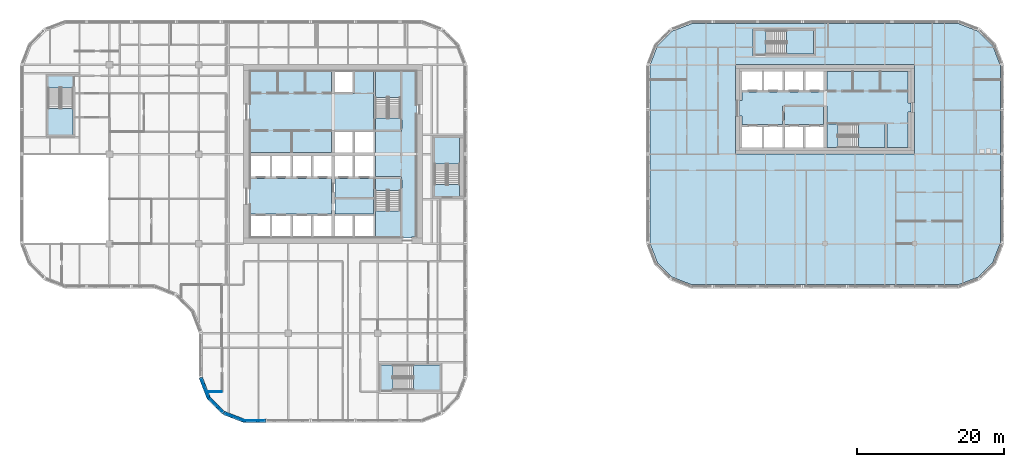
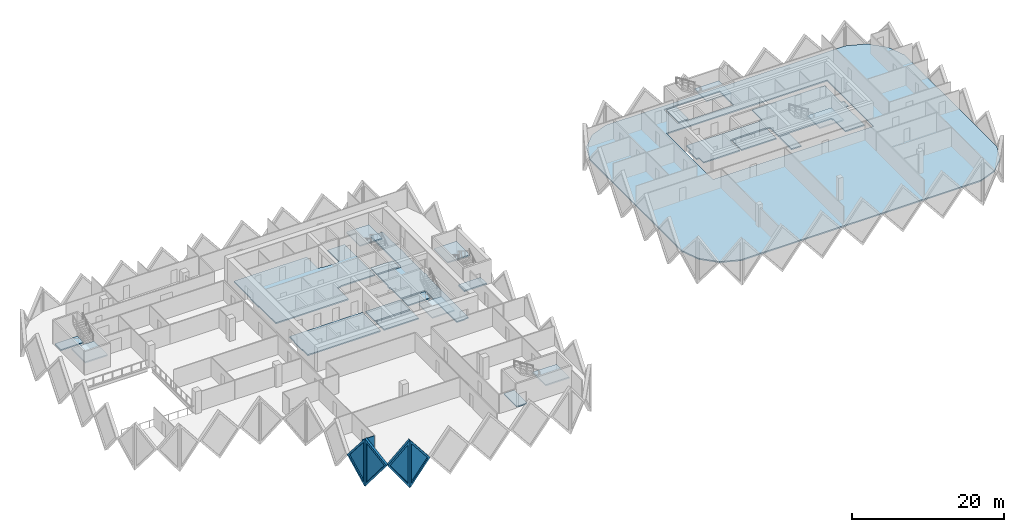
# One storey, part 3 of 19: 22 slabs, 5 walls, 4 plates, 4 openings, 7 elements without a shape of their own.
"""IFC4 building model written with IfcOpenShell, lengths in metres."""

from ifc_helpers import new_model, si_unit, direction, frame, frame_2d, origin, place, context, subcontext, project, spatial, polyline, rectangle, outline, extrude, faceted_brep, source, transform, mapped, material, layer, layer_set, type_object, element, fill, aggregate, save


model = new_model("IFC4")

# Units and contexts
model_context = context("Model", 3, precision=1e-05, world=origin(), true_north=direction((0.0, 1.0)))
body_context = subcontext(model_context, "Body", "Model", "MODEL_VIEW")
ifc_project = project(units=[si_unit("LENGTHUNIT", "METRE"), si_unit("AREAUNIT", "SQUARE_METRE"), si_unit("VOLUMEUNIT", "CUBIC_METRE"), si_unit("PLANEANGLEUNIT", "RADIAN"), si_unit("MASSUNIT", "GRAM", prefix="KILO")], contexts=[model_context])

# Site, building, storey
site_placement = place(None, origin())
site = spatial("IfcSite", under=ifc_project, at=site_placement, CompositionType="ELEMENT")
building_placement = place(site_placement, origin())
building = spatial("IfcBuilding", under=site, at=building_placement, Name="Tessera Gate Towers", CompositionType="ELEMENT")
storey_placement = place(building_placement, frame((0.0, 0.0, 83.800048828125)))
storey = spatial("IfcBuildingStorey", under=building, at=storey_placement, Name="L20", CompositionType="ELEMENT", Elevation=83.800048828125)

# Slabs
ifc_material_1 = material(Name="Concrete C35/45", Category="concrete")
ifc_layer_1 = layer(ifc_material_1, 0.199951171875)
ifc_layer_set_1 = layer_set([ifc_layer_1], Name="COMPOSITE FLOOR 200")
slab_type_1 = type_object("IfcSlabType", Name="COMPOSITE FLOOR 200", PredefinedType="FLOOR", material=ifc_layer_set_1)
slab_1_placement = place(storey_placement, frame((0.0, 0.0, -0.199951171875)))
element("IfcSlab", 1, at=slab_1_placement, inside=storey, type_object=slab_type_1, Name="T2-L20", PredefinedType="FLOOR", context=body_context, shape_type="SweptSolid", body=[
    extrude(outline(polyline([(85.89990234375, 24.4931640625), (86.926025390625, 21.8330078125), (88.93310546875, 19.826171875), (91.593017578125, 18.800048828125), (128.0068359375, 18.800048828125), (130.6669921875, 19.826171875), (132.673828125, 21.8330078125), (133.699951171875, 24.4931640625), (133.699951171875, 48.706787109375), (132.673828125, 51.366943359375), (130.6669921875, 53.373779296875), (128.0068359375, 54.39990234375), (91.593017578125, 54.39990234375), (88.93310546875, 53.373779296875), (86.926025390625, 51.366943359375), (85.89990234375, 48.706787109375), (85.89990234375, 24.4931640625)]), holes=[polyline([(97.60009765625, 36.60009765625), (97.60009765625, 48.800048828125), (122.0, 48.800048828125), (122.0, 36.60009765625), (97.60009765625, 36.60009765625)]), polyline([(100.0, 50.0), (100.0, 53.699951171875), (108.5, 53.699951171875), (108.5, 50.0), (100.0, 50.0)])]), origin(), (0.0, 0.0, 1.0), 0.199951171875),
])
ifc_material_2 = material(Name="Concrete C35/45", Category="concrete")
ifc_layer_2 = layer(ifc_material_2, 0.199951171875)
ifc_layer_set_2 = layer_set([ifc_layer_2], Name="CORE FLOOR SLAB 200")
slab_type_2 = type_object("IfcSlabType", Name="CORE FLOOR SLAB 200", PredefinedType="FLOOR", material=ifc_layer_set_2)
slab_2_placement = place(storey_placement, frame((0.0, 0.0, -0.199951171875)))
element("IfcSlab", 2, at=slab_2_placement, inside=storey, type_object=slab_type_2, Name="L20 core floor slab", PredefinedType="FLOOR", context=body_context, shape_type="SweptSolid", body=[
    extrude(outline(polyline([(31.39990234375, 47.89990234375), (31.39990234375, 43.39990234375), (31.300048828125, 43.39990234375), (31.300048828125, 41.300048828125), (31.39990234375, 41.300048828125), (31.39990234375, 36.85009765625), (42.449951171875, 36.85009765625), (42.449951171875, 39.800048828125), (42.949951171875, 39.800048828125), (42.949951171875, 39.925048828125), (48.22509765625, 39.925048828125), (48.22509765625, 47.89990234375), (45.64990234375, 47.89990234375), (45.64990234375, 44.89990234375), (45.39990234375, 44.89990234375), (45.39990234375, 44.77490234375), (42.949951171875, 44.77490234375), (42.949951171875, 44.89990234375), (42.449951171875, 44.89990234375), (42.449951171875, 47.89990234375), (31.39990234375, 47.89990234375)])), origin(), (0.0, 0.0, 1.0), 0.199951171875),
])
slab_3_placement = place(storey_placement, frame((0.0, 0.0, -0.199951171875)))
element("IfcSlab", 3, at=slab_3_placement, inside=storey, type_object=slab_type_2, Name="L20 core floor slab", PredefinedType="FLOOR", context=body_context, shape_type="SweptSolid", body=[
    extrude(outline(polyline([(52.199951171875, 25.199951171875), (53.39990234375, 25.199951171875), (53.39990234375, 25.300048828125), (54.0, 25.300048828125), (54.0, 36.320068359375), (54.10009765625, 36.320068359375), (54.10009765625, 36.8798828125), (54.0, 36.8798828125), (54.0, 42.10009765625), (54.10009765625, 42.10009765625), (54.10009765625, 43.300048828125), (54.0, 43.300048828125), (54.0, 47.89990234375), (52.125, 47.89990234375), (52.125, 39.925048828125), (52.0, 39.925048828125), (52.0, 39.675048828125), (48.47509765625, 39.675048828125), (48.47509765625, 36.85009765625), (48.35009765625, 36.85009765625), (48.35009765625, 36.35009765625), (48.47509765625, 36.35009765625), (48.47509765625, 33.52490234375), (52.0, 33.52490234375), (52.0, 33.27490234375), (52.125, 33.27490234375), (52.125, 25.300048828125), (52.199951171875, 25.300048828125), (52.199951171875, 25.199951171875)])), origin(), (0.0, 0.0, 1.0), 0.199951171875),
])
slab_4_placement = place(storey_placement, frame((0.0, 0.0, -0.199951171875)))
element("IfcSlab", 4, at=slab_4_placement, inside=storey, type_object=slab_type_2, Name="L20 core floor slab", PredefinedType="FLOOR", context=body_context, shape_type="SweptSolid", body=[
    extrude(outline(polyline([(31.39990234375, 29.800048828125), (31.39990234375, 28.425048828125), (42.449951171875, 28.425048828125), (42.449951171875, 33.27490234375), (31.39990234375, 33.27490234375), (31.39990234375, 31.89990234375), (31.300048828125, 31.89990234375), (31.300048828125, 29.800048828125), (31.39990234375, 29.800048828125)])), origin(), (0.0, 0.0, 1.0), 0.199951171875),
])
slab_5_placement = place(storey_placement, frame((0.0, 0.0, -0.199951171875)))
element("IfcSlab", 5, at=slab_5_placement, inside=storey, type_object=slab_type_2, Name="L20 core floor slab", PredefinedType="FLOOR", context=body_context, shape_type="SweptSolid", body=[
    extrude(outline(polyline([(42.949951171875, 33.27490234375), (42.949951171875, 30.72509765625), (48.22509765625, 30.72509765625), (48.22509765625, 33.27490234375), (42.949951171875, 33.27490234375)])), origin(), (0.0, 0.0, 1.0), 0.199951171875),
])
slab_6_placement = place(storey_placement, frame((0.0, 0.0, -0.199951171875)))
element("IfcSlab", 6, at=slab_6_placement, inside=storey, type_object=slab_type_2, Name="L20 core floor slab", PredefinedType="FLOOR", context=body_context, shape_type="SweptSolid", body=[
    extrude(outline(polyline([(42.949951171875, 30.47509765625), (42.949951171875, 28.425048828125), (48.22509765625, 28.425048828125), (48.22509765625, 30.47509765625), (42.949951171875, 30.47509765625)])), origin(), (0.0, 0.0, 1.0), 0.199951171875),
])
slab_7_placement = place(storey_placement, frame((0.0, 0.0, -0.199951171875)))
element("IfcSlab", 7, at=slab_7_placement, inside=storey, type_object=slab_type_2, Name="L20 core floor slab", PredefinedType="FLOOR", context=body_context, shape_type="SweptSolid", body=[
    extrude(outline(polyline([(51.875, 31.675048828125), (51.875, 33.27490234375), (48.47509765625, 33.27490234375), (48.47509765625, 31.675048828125), (51.875, 31.675048828125)])), origin(), (0.0, 0.0, 1.0), 0.199951171875),
])
slab_8_placement = place(storey_placement, frame((0.0, 0.0, -0.199951171875)))
element("IfcSlab", 8, at=slab_8_placement, inside=storey, type_object=slab_type_2, Name="L20 core floor slab", PredefinedType="FLOOR", context=body_context, shape_type="SweptSolid", body=[
    extrude(outline(polyline([(48.47509765625, 41.52490234375), (48.47509765625, 39.925048828125), (51.875, 39.925048828125), (51.875, 41.52490234375), (48.47509765625, 41.52490234375)])), origin(), (0.0, 0.0, 1.0), 0.199951171875),
])
slab_9_placement = place(storey_placement, frame((0.0, 0.0, -0.199951171875)))
element("IfcSlab", 9, at=slab_9_placement, inside=storey, type_object=slab_type_2, Name="L20 ST3 floor landing", PredefinedType="FLOOR", context=body_context, shape_type="SweptSolid", body=[
    extrude(outline(polyline([(3.85009765625, 47.25), (3.85009765625, 45.64990234375), (7.25, 45.64990234375), (7.25, 47.25), (3.85009765625, 47.25)])), origin(), (0.0, 0.0, 1.0), 0.199951171875),
])
slab_10_placement = place(storey_placement, frame((0.0, 0.0, -0.199951171875)))
element("IfcSlab", 10, at=slab_10_placement, inside=storey, type_object=slab_type_2, Name="L20 ST4 floor landing", PredefinedType="FLOOR", context=body_context, shape_type="SweptSolid", body=[
    extrude(outline(polyline([(49.25, 4.449951171875), (50.85009765625, 4.449951171875), (50.85009765625, 7.85009765625), (49.25, 7.85009765625), (49.25, 4.449951171875)])), origin(), (0.0, 0.0, 1.0), 0.199951171875),
])
slab_11_placement = place(storey_placement, frame((0.0, 0.0, -0.199951171875)))
element("IfcSlab", 11, at=slab_11_placement, inside=storey, type_object=slab_type_2, Name="L20 ST5 floor landing", PredefinedType="FLOOR", context=body_context, shape_type="SweptSolid", body=[
    extrude(outline(polyline([(59.949951171875, 30.85009765625), (59.949951171875, 32.449951171875), (56.550048828125, 32.449951171875), (56.550048828125, 30.85009765625), (59.949951171875, 30.85009765625)])), origin(), (0.0, 0.0, 1.0), 0.199951171875),
])
slab_12_placement = place(storey_placement, frame((0.0, 0.0, -0.199951171875)))
element("IfcSlab", 12, at=slab_12_placement, inside=storey, type_object=slab_type_2, Name="L20 core floor slab", PredefinedType="FLOOR", context=body_context, shape_type="SweptSolid", body=[
    extrude(outline(polyline([(109.550048828125, 45.199951171875), (109.550048828125, 45.074951171875), (98.5, 45.074951171875), (98.5, 43.89990234375), (98.10009765625, 43.89990234375), (98.10009765625, 41.800048828125), (98.5, 41.800048828125), (98.5, 40.625), (104.02490234375, 40.625), (104.02490234375, 43.199951171875), (104.27490234375, 43.199951171875), (104.27490234375, 43.324951171875), (109.550048828125, 43.324951171875), (109.550048828125, 43.199951171875), (110.050048828125, 43.199951171875), (110.050048828125, 40.949951171875), (118.10009765625, 40.949951171875), (118.10009765625, 40.699951171875), (118.22509765625, 40.699951171875), (118.22509765625, 37.5), (121.10009765625, 37.5), (121.10009765625, 42.35009765625), (121.5, 42.35009765625), (121.5, 43.550048828125), (121.10009765625, 43.550048828125), (121.10009765625, 47.89990234375), (110.050048828125, 47.89990234375), (110.050048828125, 45.199951171875), (109.550048828125, 45.199951171875)])), origin(), (0.0, 0.0, 1.0), 0.199951171875),
])
slab_13_placement = place(storey_placement, frame((0.0, 0.0, -0.199951171875)))
element("IfcSlab", 13, at=slab_13_placement, inside=storey, type_object=slab_type_2, Name="L20 core floor slab", PredefinedType="FLOOR", context=body_context, shape_type="SweptSolid", body=[
    extrude(outline(polyline([(109.550048828125, 43.074951171875), (104.27490234375, 43.074951171875), (104.27490234375, 40.625), (109.550048828125, 40.625), (109.550048828125, 43.074951171875)])), origin(), (0.0, 0.0, 1.0), 0.199951171875),
])
slab_14_placement = place(storey_placement, frame((0.0, 0.0, -0.199951171875)))
element("IfcSlab", 14, at=slab_14_placement, inside=storey, type_object=slab_type_2, Name="L20 core floor slab", PredefinedType="FLOOR", context=body_context, shape_type="SweptSolid", body=[
    extrude(outline(polyline([(111.550048828125, 37.5), (111.550048828125, 40.699951171875), (110.050048828125, 40.699951171875), (110.050048828125, 37.5), (111.550048828125, 37.5)])), origin(), (0.0, 0.0, 1.0), 0.199951171875),
])
slab_15_placement = place(storey_placement, frame((0.0, 0.0, -0.199951171875)))
element("IfcSlab", 15, at=slab_15_placement, inside=storey, type_object=slab_type_2, Name="L20 ST7 floor landing", PredefinedType="FLOOR", context=body_context, shape_type="SweptSolid", body=[
    extrude(outline(polyline([(100.25, 50.25), (101.75, 50.25), (101.75, 53.449951171875), (100.25, 53.449951171875), (100.25, 50.25)])), origin(), (0.0, 0.0, 1.0), 0.199951171875),
])

# Stair, slab
ifc_material_3 = material(Name="Concrete C40/50", Category="concrete")
stair_type_1 = type_object("IfcStairType", Name="EXIT STAIR ST1 1600", PredefinedType="HALF_TURN_STAIR", material=ifc_material_3)
stair_1_placement = place(storey_placement, origin())
stair_1 = element("IfcStair", 16, at=stair_1_placement, inside=storey, type_object=stair_type_1, Name="L20 Protected Exit Stair ST1", PredefinedType="HALF_TURN_STAIR")
ifc_material_4 = material(Name="Concrete C40/50", Category="concrete")
ifc_layer_3 = layer(ifc_material_4, 0.199951171875)
ifc_layer_set_3 = layer_set([ifc_layer_3], Name="EXIT STAIR LANDING 200")
slab_type_3 = type_object("IfcSlabType", Name="EXIT STAIR LANDING 200", PredefinedType="LANDING", material=ifc_layer_set_3)
slab_16_placement = place(storey_placement, frame((0.0, 0.0, 1.699951171875)))
slab_16 = element("IfcSlab", 17, at=slab_16_placement, type_object=slab_type_3, Name="ST1 landing 1", PredefinedType="LANDING", context=body_context, shape_type="SweptSolid", body=[
    extrude(outline(polyline([(48.47509765625, 28.875), (48.47509765625, 25.300048828125), (51.875, 25.300048828125), (51.875, 28.875), (48.47509765625, 28.875)])), origin(), (0.0, 0.0, 1.0), 0.199951171875),
])
aggregate(stair_1, [slab_16])

ifc_material_5 = material(Name="Concrete C40/50", Category="concrete")
stair_type_2 = type_object("IfcStairType", Name="EXIT STAIR ST2 1600", PredefinedType="HALF_TURN_STAIR", material=ifc_material_5)
stair_2_placement = place(storey_placement, origin())
stair_2 = element("IfcStair", 18, at=stair_2_placement, inside=storey, type_object=stair_type_2, Name="L20 Protected Exit Stair ST2", PredefinedType="HALF_TURN_STAIR")
slab_17_placement = place(storey_placement, frame((0.0, 0.0, 1.699951171875)))
slab_17 = element("IfcSlab", 19, at=slab_17_placement, type_object=slab_type_3, Name="ST2 landing 1", PredefinedType="LANDING", context=body_context, shape_type="SweptSolid", body=[
    extrude(outline(polyline([(51.875, 44.324951171875), (51.875, 47.89990234375), (48.47509765625, 47.89990234375), (48.47509765625, 44.324951171875), (51.875, 44.324951171875)])), origin(), (0.0, 0.0, 1.0), 0.199951171875),
])
aggregate(stair_2, [slab_17])

ifc_material_6 = material(Name="Concrete C40/50", Category="concrete")
stair_type_3 = type_object("IfcStairType", Name="EXIT STAIR ST3 1600", PredefinedType="HALF_TURN_STAIR", material=ifc_material_6)
stair_3_placement = place(storey_placement, origin())
stair_3 = element("IfcStair", 20, at=stair_3_placement, inside=storey, type_object=stair_type_3, Name="L20 West Exit Stair ST3", PredefinedType="HALF_TURN_STAIR")
slab_18_placement = place(storey_placement, frame((0.0, 0.0, 1.699951171875)))
slab_18 = element("IfcSlab", 21, at=slab_18_placement, type_object=slab_type_3, Name="ST3 landing 1", PredefinedType="LANDING", context=body_context, shape_type="SweptSolid", body=[
    extrude(outline(polyline([(3.85009765625, 42.85009765625), (3.85009765625, 39.25), (7.25, 39.25), (7.25, 42.85009765625), (3.85009765625, 42.85009765625)])), origin(), (0.0, 0.0, 1.0), 0.199951171875),
])
aggregate(stair_3, [slab_18])

ifc_material_7 = material(Name="Concrete C40/50", Category="concrete")
stair_type_4 = type_object("IfcStairType", Name="EXIT STAIR ST4 1600", PredefinedType="HALF_TURN_STAIR", material=ifc_material_7)
stair_4_placement = place(storey_placement, origin())
stair_4 = element("IfcStair", 22, at=stair_4_placement, inside=storey, type_object=stair_type_4, Name="L20 South Exit Stair ST4", PredefinedType="HALF_TURN_STAIR")
slab_19_placement = place(storey_placement, frame((0.0, 0.0, 1.699951171875)))
slab_19 = element("IfcSlab", 23, at=slab_19_placement, type_object=slab_type_3, Name="ST4 landing 1", PredefinedType="LANDING", context=body_context, shape_type="SweptSolid", body=[
    extrude(outline(polyline([(53.64990234375, 4.449951171875), (57.25, 4.449951171875), (57.25, 7.85009765625), (53.64990234375, 7.85009765625), (53.64990234375, 4.449951171875)])), origin(), (0.0, 0.0, 1.0), 0.199951171875),
])
aggregate(stair_4, [slab_19])

ifc_material_8 = material(Name="Concrete C40/50", Category="concrete")
stair_type_5 = type_object("IfcStairType", Name="EXIT STAIR ST5 1600", PredefinedType="HALF_TURN_STAIR", material=ifc_material_8)
stair_5_placement = place(storey_placement, origin())
stair_5 = element("IfcStair", 24, at=stair_5_placement, inside=storey, type_object=stair_type_5, Name="L20 East Exit Stair ST5", PredefinedType="HALF_TURN_STAIR")
slab_20_placement = place(storey_placement, frame((0.0, 0.0, 1.699951171875)))
slab_20 = element("IfcSlab", 25, at=slab_20_placement, type_object=slab_type_3, Name="ST5 landing 1", PredefinedType="LANDING", context=body_context, shape_type="SweptSolid", body=[
    extrude(outline(polyline([(59.949951171875, 35.25), (59.949951171875, 38.85009765625), (56.550048828125, 38.85009765625), (56.550048828125, 35.25), (59.949951171875, 35.25)])), origin(), (0.0, 0.0, 1.0), 0.199951171875),
])
aggregate(stair_5, [slab_20])

ifc_material_9 = material(Name="Concrete C40/50", Category="concrete")
stair_type_6 = type_object("IfcStairType", Name="EXIT STAIR ST6 1500", PredefinedType="HALF_TURN_STAIR", material=ifc_material_9)
stair_6_placement = place(storey_placement, origin())
stair_6 = element("IfcStair", 26, at=stair_6_placement, inside=storey, type_object=stair_type_6, Name="L20 Protected Exit Stair ST6", PredefinedType="HALF_TURN_STAIR")
slab_21_placement = place(storey_placement, frame((0.0, 0.0, 1.699951171875)))
slab_21 = element("IfcSlab", 27, at=slab_21_placement, type_object=slab_type_3, Name="ST6 landing 1", PredefinedType="LANDING", context=body_context, shape_type="SweptSolid", body=[
    extrude(outline(polyline([(114.35009765625, 37.5), (117.97509765625, 37.5), (117.97509765625, 40.699951171875), (114.35009765625, 40.699951171875), (114.35009765625, 37.5)])), origin(), (0.0, 0.0, 1.0), 0.199951171875),
])
aggregate(stair_6, [slab_21])

ifc_material_10 = material(Name="Concrete C40/50", Category="concrete")
stair_type_7 = type_object("IfcStairType", Name="EXIT STAIR ST7 1500", PredefinedType="HALF_TURN_STAIR", material=ifc_material_10)
stair_7_placement = place(storey_placement, origin())
stair_7 = element("IfcStair", 28, at=stair_7_placement, inside=storey, type_object=stair_type_7, Name="L20 North Exit Stair ST7", PredefinedType="HALF_TURN_STAIR")
slab_22_placement = place(storey_placement, frame((0.0, 0.0, 1.699951171875)))
slab_22 = element("IfcSlab", 29, at=slab_22_placement, type_object=slab_type_3, Name="ST7 landing 1", PredefinedType="LANDING", context=body_context, shape_type="SweptSolid", body=[
    extrude(outline(polyline([(104.550048828125, 50.25), (108.25, 50.25), (108.25, 53.449951171875), (104.550048828125, 53.449951171875), (104.550048828125, 50.25)])), origin(), (0.0, 0.0, 1.0), 0.199951171875),
])
aggregate(stair_7, [slab_22])

# Wall
ifc_material_11 = material(Name="Glass", Category="glass")
ifc_layer_4 = layer(ifc_material_11, 0.10009765625)
ifc_layer_set_4 = layer_set([ifc_layer_4], Name="GLAZED PARTITION 100")
wall_type_1 = type_object("IfcWallType", Name="GLAZED PARTITION 100", PredefinedType="PARTITIONING", material=ifc_layer_set_4)
wall_1_placement = place(storey_placement, frame((25.668701171875, 4.199951171875, 0.0), z_axis=(0.0, 0.0, 1.0), x_axis=(1.0, 0.0, 0.0)))
element("IfcWall", 30, at=wall_1_placement, inside=storey, type_object=wall_type_1, Name="T1-L20-PW-003", PredefinedType="PARTITIONING", context=body_context, shape_type="SweptSolid", body=[
    extrude(rectangle(XDim=1.855224609375, YDim=0.10009765625, at=frame_2d((0.927734375, 0.0))), origin(), (0.0, 0.0, 1.0), 3.06689453125),
])

# Wall, opening, plate
ifc_material_12 = material(Name="Precast concrete C60/75 white", Category="concrete")
ifc_layer_5 = layer(ifc_material_12, 0.5)
ifc_layer_set_5 = layer_set([ifc_layer_5], Name="TS3 corner tessera")
wall_type_2 = type_object("IfcWallType", Name="TS3 corner tessera", PredefinedType="SOLIDWALL", material=ifc_layer_set_5)
shared_shape_1 = source(origin(), body_context, "Body", "Brep", [
    faceted_brep([(2.950439453125, -0.25, 0.0), (3.00341796875, -0.25, 0.068359375), (3.00341796875, -0.25, 7.53173828125), (2.950439453125, -0.25, 7.60009765625), (0.0, -0.25, 3.800048828125), (0.046630859375, 0.25, 3.860107421875), (2.897705078125, 0.25, 7.531982421875), (2.897705078125, 0.25, 0.068115234375), (0.046630859375, 0.25, 3.739990234375), (2.950439453125, 0.00048828125, 0.0), (2.950439453125, 0.00048828125, 7.60009765625), (0.0, 0.0, 3.800048828125)], [[[0, 1, 2, 3, 4]], [[5, 6, 7, 8]], [[1, 0, 9]], [[10, 3, 2]], [[6, 5, 11, 4, 3, 10]], [[8, 7, 9, 0, 4, 11]], [[8, 11, 5]], [[1, 9, 7, 6, 10, 2]]]),
])
wall_2_placement = place(storey_placement, frame((24.64990234375, 6.146484375, -3.800048828125), z_axis=(0.0, 0.0, 1.0), x_axis=(0.359953949349, -0.932970071518, 0.0)))
wall_2 = element("IfcWall", 31, at=wall_2_placement, inside=storey, type_object=wall_type_2, Name="Precast corner tessera T1 TS3-0455", PredefinedType="SOLIDWALL", context=body_context, shape_type="MappedRepresentation", body=[
    mapped(shared_shape_1, transform((0.0, 0.0, 0.0), scale=1.0)),
])
shared_shape_2 = source(origin(), body_context, "Body", "SweptSolid", [
    extrude(outline(polyline([(2.75048828125, 6.934814453125), (0.31640625, 3.800048828125), (2.75048828125, 0.665283203125), (2.75048828125, 6.934814453125)])), frame((0.0, 0.260009765625, 0.0), z_axis=(0.0, -1.0, 0.0), x_axis=(1.0, 0.0, 0.0)), (0.0, 0.0, 1.0), 0.52001953125),
])
opening_1_placement = place(wall_2_placement, origin())
opening_1 = element("IfcOpeningElement", 32, at=opening_1_placement, cuts=wall_2, Name="Opening T1-PL2-0656", PredefinedType="OPENING", context=body_context, shape_type="MappedRepresentation", body=[
    mapped(shared_shape_2, transform((0.0, 0.0, 0.0), scale=1.0)),
])
ifc_material_13 = material(Name="Low-e laminated glass", Category="glass")
ifc_layer_6 = layer(ifc_material_13, 0.06005859375)
ifc_layer_set_6 = layer_set([ifc_layer_6], Name="PL2 rhombic pane")
plate_type = type_object("IfcPlateType", Name="PL2 rhombic pane", PredefinedType="SHEET", material=ifc_layer_set_6)
shared_shape_3 = source(origin(), body_context, "Body", "SweptSolid", [
    extrude(outline(polyline([(2.75048828125, 6.934814453125), (0.31640625, 3.800048828125), (2.75048828125, 0.665283203125), (2.75048828125, 6.934814453125)])), frame((0.0, 0.030029296875, 0.0), z_axis=(0.0, -1.0, 0.0), x_axis=(1.0, 0.0, 0.0)), (0.0, 0.0, 1.0), 0.06005859375),
])
plate_1_placement = place(opening_1_placement, origin())
plate_1 = element("IfcPlate", 33, at=plate_1_placement, inside=storey, type_object=plate_type, Name="Glass pane T1 PL2-0656", PredefinedType="SHEET", context=body_context, shape_type="MappedRepresentation", body=[
    mapped(shared_shape_3, transform((0.0, 0.0, 0.0), scale=1.0)),
])
fill(opening_1, plate_1)

shared_shape_4 = source(origin(), body_context, "Body", "Brep", [
    faceted_brep([(0.046630859375, -0.25, 0.0), (3.050048828125, -0.25, 3.800048828125), (0.046630859375, -0.25, 7.60009765625), (0.0, -0.25, 7.5400390625), (0.0, -0.25, 0.06005859375), (0.09326171875, 0.25, 7.541259765625), (3.050048828125, 0.25, 3.800048828125), (0.09326171875, 0.25, 0.058837890625), (0.046630859375, 0.0, 0.0), (0.046630859375, 0.0, 7.60009765625)], [[[0, 1, 2, 3, 4]], [[5, 6, 7]], [[7, 6, 1, 0, 8]], [[6, 5, 9, 2, 1]], [[3, 2, 9]], [[8, 0, 4]], [[7, 8, 4, 3, 9, 5]]]),
])
wall_3_placement = place(storey_placement, frame((30.5, 0.25, -3.800048828125), z_axis=(0.0, 0.0, 1.0), x_axis=(1.0, 0.0, 0.0)))
wall_3 = element("IfcWall", 34, at=wall_3_placement, inside=storey, type_object=wall_type_2, Name="Precast corner tessera T1 TS3-0433", PredefinedType="SOLIDWALL", context=body_context, shape_type="MappedRepresentation", body=[
    mapped(shared_shape_4, transform((0.0, 0.0, 0.0), scale=1.0)),
])
shared_shape_5 = source(origin(), body_context, "Body", "SweptSolid", [
    extrude(outline(polyline([(0.24658203125, 0.65625), (2.7314453125, 3.800048828125), (0.24658203125, 6.94384765625), (0.24658203125, 0.65625)])), frame((0.0, 0.260009765625, 0.0), z_axis=(0.0, -1.0, 0.0), x_axis=(1.0, 0.0, 0.0)), (0.0, 0.0, 1.0), 0.52001953125),
])
opening_2_placement = place(wall_3_placement, origin())
opening_2 = element("IfcOpeningElement", 35, at=opening_2_placement, cuts=wall_3, Name="Opening T1-PL2-0611", PredefinedType="OPENING", context=body_context, shape_type="MappedRepresentation", body=[
    mapped(shared_shape_5, transform((0.0, 0.0, 0.0), scale=1.0)),
])
shared_shape_6 = source(origin(), body_context, "Body", "SweptSolid", [
    extrude(outline(polyline([(0.24658203125, 0.65625), (2.7314453125, 3.800048828125), (0.24658203125, 6.94384765625), (0.24658203125, 0.65625)])), frame((0.0, 0.030029296875, 0.0), z_axis=(0.0, -1.0, 0.0), x_axis=(1.0, 0.0, 0.0)), (0.0, 0.0, 1.0), 0.06005859375),
])
plate_2_placement = place(opening_2_placement, origin())
plate_2 = element("IfcPlate", 36, at=plate_2_placement, inside=storey, type_object=plate_type, Name="Glass pane T1 PL2-0611", PredefinedType="SHEET", context=body_context, shape_type="MappedRepresentation", body=[
    mapped(shared_shape_6, transform((0.0, 0.0, 0.0), scale=1.0)),
])
fill(opening_2, plate_2)

shared_shape_7 = source(origin(), body_context, "Body", "Brep", [
    faceted_brep([(0.052978515625, -0.25, 0.0), (2.9970703125, -0.25, 3.800048828125), (0.052978515625, -0.25, 7.60009765625), (0.0, -0.25, 7.531982421875), (0.0, -0.25, 0.068115234375), (0.10595703125, 0.25, 7.53173828125), (2.944091796875, 0.25, 3.8681640625), (2.944091796875, 0.25, 3.73193359375), (0.10595703125, 0.25, 0.068359375), (2.9970703125, 0.000244140625, 3.800048828125), (0.052978515625, 0.0, 0.0), (0.052978515625, 0.0, 7.60009765625)], [[[0, 1, 2, 3, 4]], [[5, 6, 7, 8]], [[8, 7, 9, 1, 0, 10]], [[6, 5, 11, 2, 1, 9]], [[3, 2, 11]], [[10, 0, 4]], [[8, 10, 4, 3, 11, 5]], [[9, 7, 6]]]),
])
wall_4_placement = place(storey_placement, frame((25.674560546875, 3.43115234375, -3.800048828125), z_axis=(0.0, 0.0, 1.0), x_axis=(0.707106781187, -0.707106781187, 0.0)))
wall_4 = element("IfcWall", 37, at=wall_4_placement, inside=storey, type_object=wall_type_2, Name="Precast corner tessera T1 TS3-0456", PredefinedType="SOLIDWALL", context=body_context, shape_type="MappedRepresentation", body=[
    mapped(shared_shape_7, transform((0.0, 0.0, 0.0), scale=1.0)),
])
shared_shape_8 = source(origin(), body_context, "Body", "SweptSolid", [
    extrude(outline(polyline([(0.2529296875, 0.666259765625), (2.680908203125, 3.800048828125), (0.2529296875, 6.93359375), (0.2529296875, 0.666259765625)])), frame((0.0, 0.260009765625, 0.0), z_axis=(0.0, -1.0, 0.0), x_axis=(1.0, 0.0, 0.0)), (0.0, 0.0, 1.0), 0.52001953125),
])
opening_3_placement = place(wall_4_placement, origin())
opening_3 = element("IfcOpeningElement", 38, at=opening_3_placement, cuts=wall_4, Name="Opening T1-PL2-0657", PredefinedType="OPENING", context=body_context, shape_type="MappedRepresentation", body=[
    mapped(shared_shape_8, transform((0.0, 0.0, 0.0), scale=1.0)),
])
shared_shape_9 = source(origin(), body_context, "Body", "SweptSolid", [
    extrude(outline(polyline([(0.2529296875, 0.666259765625), (2.680908203125, 3.800048828125), (0.2529296875, 6.93359375), (0.2529296875, 0.666259765625)])), frame((0.0, 0.030029296875, 0.0), z_axis=(0.0, -1.0, 0.0), x_axis=(1.0, 0.0, 0.0)), (0.0, 0.0, 1.0), 0.06005859375),
])
plate_3_placement = place(opening_3_placement, origin())
plate_3 = element("IfcPlate", 39, at=plate_3_placement, inside=storey, type_object=plate_type, Name="Glass pane T1 PL2-0657", PredefinedType="SHEET", context=body_context, shape_type="MappedRepresentation", body=[
    mapped(shared_shape_9, transform((0.0, 0.0, 0.0), scale=1.0)),
])
fill(opening_3, plate_3)

shared_shape_10 = source(origin(), body_context, "Body", "Brep", [
    faceted_brep([(2.950439453125, -0.25, 0.0), (2.9970703125, -0.25, 0.05908203125), (2.9970703125, -0.25, 7.541015625), (2.950439453125, -0.25, 7.60009765625), (0.0, -0.25, 3.800048828125), (0.052978515625, 0.25, 3.8681640625), (2.904052734375, 0.25, 7.540283203125), (2.904052734375, 0.25, 0.059814453125), (0.052978515625, 0.25, 3.73193359375), (2.950439453125, 0.00048828125, 0.0), (2.950439453125, 0.00048828125, 7.60009765625), (0.0, 0.0, 3.800048828125)], [[[0, 1, 2, 3, 4]], [[5, 6, 7, 8]], [[1, 0, 9]], [[10, 3, 2]], [[6, 5, 11, 4, 3, 10]], [[8, 7, 9, 0, 4, 11]], [[8, 11, 5]], [[1, 9, 7, 6, 10, 2]]]),
])
wall_5_placement = place(storey_placement, frame((27.793701171875, 1.31201171875, -3.800048828125), z_axis=(0.0, 0.0, 1.0), x_axis=(0.932973525033, -0.359944998003, 0.0)))
wall_5 = element("IfcWall", 40, at=wall_5_placement, inside=storey, type_object=wall_type_2, Name="Precast corner tessera T1 TS3-0434", PredefinedType="SOLIDWALL", context=body_context, shape_type="MappedRepresentation", body=[
    mapped(shared_shape_10, transform((0.0, 0.0, 0.0), scale=1.0)),
])
opening_4_placement = place(wall_5_placement, origin())
opening_4 = element("IfcOpeningElement", 41, at=opening_4_placement, cuts=wall_5, Name="Opening T1-PL2-0612", PredefinedType="OPENING", context=body_context, shape_type="MappedRepresentation", body=[
    mapped(shared_shape_2, transform((0.0, 0.0, 0.0), scale=1.0)),
])
plate_4_placement = place(opening_4_placement, origin())
plate_4 = element("IfcPlate", 42, at=plate_4_placement, inside=storey, type_object=plate_type, Name="Glass pane T1 PL2-0612", PredefinedType="SHEET", context=body_context, shape_type="MappedRepresentation", body=[
    mapped(shared_shape_3, transform((0.0, 0.0, 0.0), scale=1.0)),
])
fill(opening_4, plate_4)

save(model, "model.ifc")
